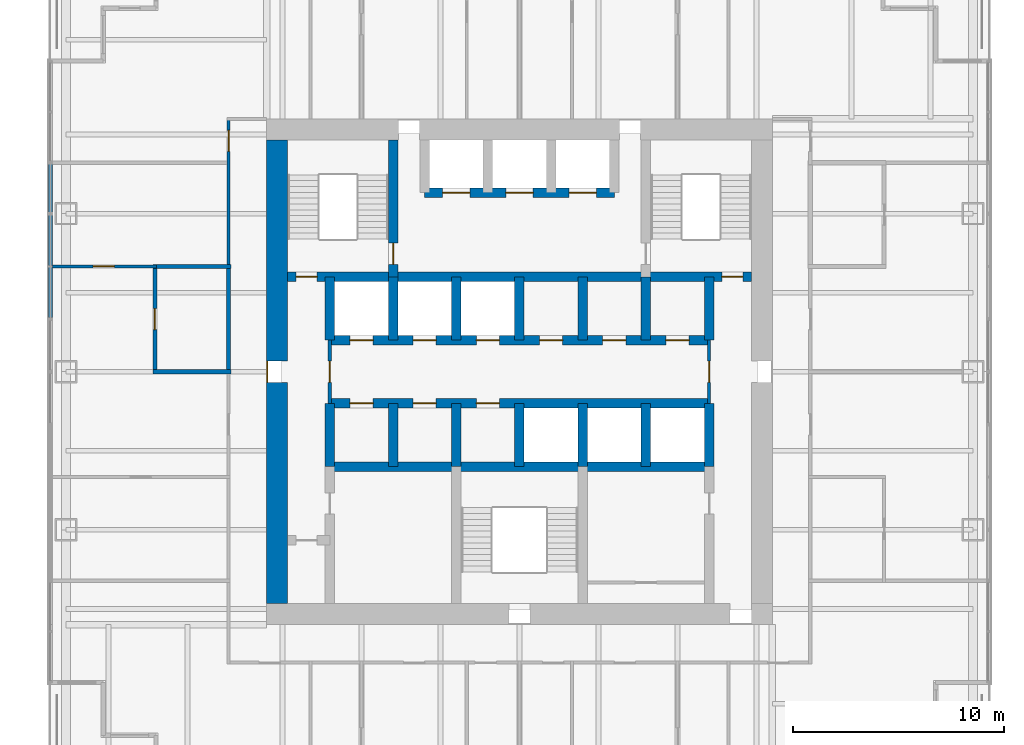
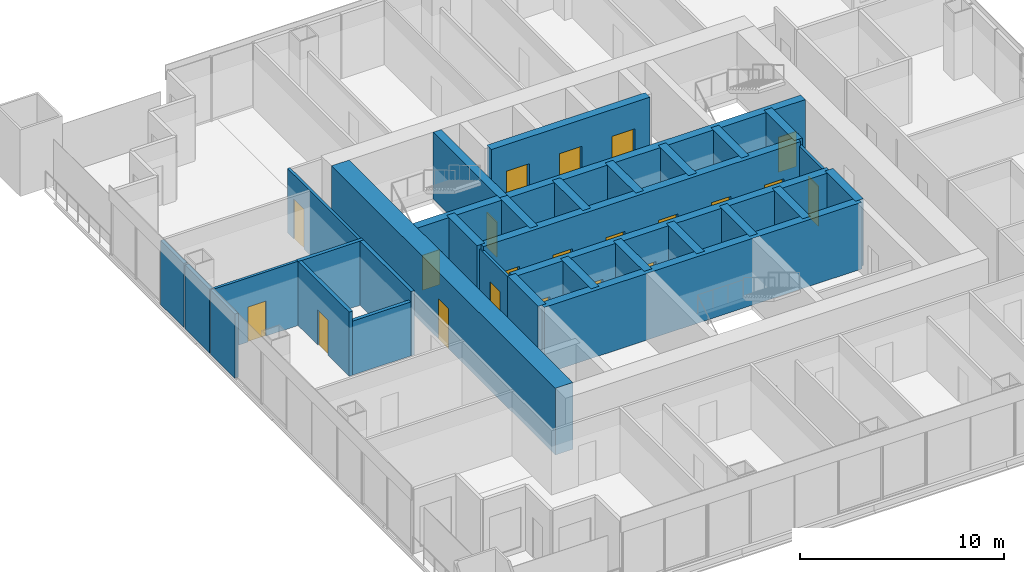
# One storey, part 9 of 13: 32 walls, 21 doors, 21 openings.
"""IFC4 building model written with IfcOpenShell, lengths in metres."""

from ifc_helpers import new_model, si_unit, direction, frame, frame_2d, origin, place, context, subcontext, project, spatial, rectangle, extrude, material, layer, layer_set, type_object, element, fill, save


model = new_model("IFC4")

# Units and contexts
model_context = context("Model", 3, precision=1e-05, world=origin(), true_north=direction((0.0, 1.0)))
body_context = subcontext(model_context, "Body", "Model", "MODEL_VIEW")
ifc_project = project(units=[si_unit("LENGTHUNIT", "METRE"), si_unit("AREAUNIT", "SQUARE_METRE"), si_unit("VOLUMEUNIT", "CUBIC_METRE"), si_unit("PLANEANGLEUNIT", "RADIAN"), si_unit("MASSUNIT", "GRAM", prefix="KILO")], contexts=[model_context])

# Site, building, storey
site_placement = place(None, origin())
site = spatial("IfcSite", under=ifc_project, at=site_placement, CompositionType="ELEMENT")
building_placement = place(site_placement, origin())
building = spatial("IfcBuilding", under=site, at=building_placement, Name="Tarangal Relay Tower", CompositionType="ELEMENT")
storey_placement = place(building_placement, frame((0.0, 0.0, 189.89990234375)))
storey = spatial("IfcBuildingStorey", under=building, at=storey_placement, Name="L39", CompositionType="ELEMENT", Elevation=189.89990234375)

# Walls
ifc_material_1 = material(Name="Two layers gypsum board each side on twin steel studs, mineral wool", Category="steel")
ifc_layer_1 = layer(ifc_material_1, 0.199951171875)
ifc_layer_set_1 = layer_set([ifc_layer_1], Name="Acoustic partition 200")
wall_type_1 = type_object("IfcWallType", Name="Acoustic partition 200", PredefinedType="PARTITIONING", material=ifc_layer_set_1)
wall_1_placement = place(storey_placement, frame((-17.39990234375, 0.0, 0.0), z_axis=(0.0, 0.0, 1.0), x_axis=(1.0, 0.0, 0.0)))
element("IfcWall", 1, at=wall_1_placement, inside=storey, type_object=wall_type_1, Name="Partition PT2 L39", PredefinedType="PARTITIONING", context=body_context, shape_type="SweptSolid", body=[
    extrude(rectangle(XDim=3.699951171875, YDim=0.199951171875, at=frame_2d((1.85009765625, 0.0))), origin(), (0.0, 0.0, 1.0), 3.238037109375),
])
wall_2_placement = place(storey_placement, frame((-17.39990234375, 5.0, 0.0), z_axis=(0.0, 0.0, 1.0), x_axis=(1.0, 0.0, 0.0)))
element("IfcWall", 2, at=wall_2_placement, inside=storey, type_object=wall_type_1, Name="Partition PT2 L39", PredefinedType="PARTITIONING", context=body_context, shape_type="SweptSolid", body=[
    extrude(rectangle(XDim=3.699951171875, YDim=0.199951171875, at=frame_2d((1.85009765625, 0.0))), origin(), (0.0, 0.0, 1.0), 3.85009765625),
])

# Wall, opening, door
wall_3_placement = place(storey_placement, frame((-17.300048828125, -0.10009765625, 0.0), z_axis=(0.0, 0.0, 1.0), x_axis=(0.0, 1.0, 0.0)))
wall_3 = element("IfcWall", 3, at=wall_3_placement, inside=storey, type_object=wall_type_1, Name="Partition PT2 L39", PredefinedType="PARTITIONING", context=body_context, shape_type="SweptSolid", body=[
    extrude(rectangle(XDim=5.2001953125, YDim=0.199951171875, at=frame_2d((2.60009765625, 0.0))), origin(), (0.0, 0.0, 1.0), 3.85009765625),
])
opening_1_placement = place(wall_3_placement, frame((2.10009765625, 0.0, 0.0)))
opening_1 = element("IfcOpeningElement", 4, at=opening_1_placement, cuts=wall_3, Name="Opening D2", PredefinedType="OPENING", context=body_context, shape_type="SweptSolid", body=[
    extrude(rectangle(XDim=1.0, YDim=2.10009765625, at=frame_2d((0.5, 1.050048828125))), frame((0.0, 0.10986328125, 0.0), z_axis=(0.0, -1.0, 0.0), x_axis=(1.0, 0.0, 0.0)), (0.0, 0.0, 1.0), 0.219970703125),
])
ifc_material_2 = material(Name="Hardwood door", Category="wood")
door_type_1 = type_object("IfcDoorType", Name="Door 1000 x 2100", OperationType="SINGLE_SWING_LEFT", PredefinedType="DOOR", material=ifc_material_2)
door_1_placement = place(opening_1_placement, origin())
door_1 = element("IfcDoor", 5, at=door_1_placement, inside=storey, type_object=door_type_1, Name="Door D2 to meeting room L39-20", OperationType="SINGLE_SWING_LEFT", OverallHeight=2.10009765625, OverallWidth=1.0, PredefinedType="DOOR", context=body_context, shape_type="SweptSolid", body=[
    extrude(rectangle(XDim=1.0, YDim=2.10009765625, at=frame_2d((0.5, 1.050048828125))), frame((0.0, 0.02490234375, 0.0), z_axis=(0.0, -1.0, 0.0), x_axis=(1.0, 0.0, 0.0)), (0.0, 0.0, 1.0), 0.050048828125),
])
fill(opening_1, door_1)

# Wall
wall_4_placement = place(storey_placement, frame((-13.800048828125, -0.10009765625, 0.0), z_axis=(0.0, 0.0, 1.0), x_axis=(0.0, 1.0, 0.0)))
element("IfcWall", 6, at=wall_4_placement, inside=storey, type_object=wall_type_1, Name="Partition PT2 L39", PredefinedType="PARTITIONING", context=body_context, shape_type="SweptSolid", body=[
    extrude(rectangle(XDim=5.2001953125, YDim=0.199951171875, at=frame_2d((2.60009765625, 0.0))), origin(), (0.0, 0.0, 1.0), 3.85009765625),
])

# Wall, openings, doors
ifc_material_3 = material(Name="Concrete fc' 60 MPa", Category="concrete")
ifc_layer_2 = layer(ifc_material_3, 0.449951171875)
ifc_layer_set_2 = layer_set([ifc_layer_2], Name="Core inner wall 450")
wall_type_2 = type_object("IfcWallType", Name="Core inner wall 450", PredefinedType="SHEAR", material=ifc_layer_set_2)
wall_5_placement = place(storey_placement, frame((-11.0, 4.5, 0.0), z_axis=(0.0, 0.0, 1.0), x_axis=(1.0, 0.0, 0.0)))
wall_5 = element("IfcWall", 7, at=wall_5_placement, inside=storey, type_object=wall_type_2, Name="Core wall Y45 L39", PredefinedType="SHEAR", context=body_context, shape_type="SweptSolid", body=[
    extrude(rectangle(XDim=22.0, YDim=0.449951171875, at=frame_2d((11.0, 0.0))), origin(), (0.0, 0.0, 1.0), 4.0),
])
opening_2_placement = place(wall_5_placement, frame((0.39990234375, 0.0, 0.0)))
opening_2 = element("IfcOpeningElement", 8, at=opening_2_placement, cuts=wall_5, Name="Opening FD1", PredefinedType="OPENING", context=body_context, shape_type="SweptSolid", body=[
    extrude(rectangle(XDim=1.0, YDim=2.10009765625, at=frame_2d((0.5, 1.050048828125))), frame((0.0, 0.23486328125, 0.0), z_axis=(0.0, -1.0, 0.0), x_axis=(1.0, 0.0, 0.0)), (0.0, 0.0, 1.0), 0.469970703125),
])
opening_3_placement = place(wall_5_placement, frame((20.60009765625, 0.0, 0.0)))
opening_3 = element("IfcOpeningElement", 9, at=opening_3_placement, cuts=wall_5, Name="Opening FD1", PredefinedType="OPENING", context=body_context, shape_type="SweptSolid", body=[
    extrude(rectangle(XDim=1.0, YDim=2.10009765625, at=frame_2d((0.5, 1.050048828125))), frame((0.0, 0.23486328125, 0.0), z_axis=(0.0, -1.0, 0.0), x_axis=(1.0, 0.0, 0.0)), (0.0, 0.0, 1.0), 0.469970703125),
])
ifc_material_4 = material(Name="Steel door with hardwood frame", Category="steel")
door_type_2 = type_object("IfcDoorType", Name="Fire door 1000 x 2100", OperationType="SINGLE_SWING_LEFT", PredefinedType="DOOR", material=ifc_material_4)
door_2_placement = place(opening_2_placement, origin())
door_2 = element("IfcDoor", 10, at=door_2_placement, inside=storey, type_object=door_type_2, Name="Stair ST-A door from corridor L39", OperationType="SINGLE_SWING_LEFT", OverallHeight=2.10009765625, OverallWidth=1.0, PredefinedType="DOOR", context=body_context, shape_type="SweptSolid", body=[
    extrude(rectangle(XDim=1.0, YDim=2.10009765625, at=frame_2d((0.5, 1.050048828125))), frame((0.0, 0.02490234375, 0.0), z_axis=(0.0, -1.0, 0.0), x_axis=(1.0, 0.0, 0.0)), (0.0, 0.0, 1.0), 0.050048828125),
])
fill(opening_2, door_2)
door_3_placement = place(opening_3_placement, origin())
door_3 = element("IfcDoor", 11, at=door_3_placement, inside=storey, type_object=door_type_2, Name="Stair ST-B door from corridor L39", OperationType="SINGLE_SWING_LEFT", OverallHeight=2.10009765625, OverallWidth=1.0, PredefinedType="DOOR", context=body_context, shape_type="SweptSolid", body=[
    extrude(rectangle(XDim=1.0, YDim=2.10009765625, at=frame_2d((0.5, 1.050048828125))), frame((0.0, 0.02490234375, 0.0), z_axis=(0.0, -1.0, 0.0), x_axis=(1.0, 0.0, 0.0)), (0.0, 0.0, 1.0), 0.050048828125),
])
fill(opening_3, door_3)

wall_6_placement = place(storey_placement, frame((-9.0, 1.5, 0.0), z_axis=(0.0, 0.0, 1.0), x_axis=(1.0, 0.0, 0.0)))
wall_6 = element("IfcWall", 12, at=wall_6_placement, inside=storey, type_object=wall_type_2, Name="Core wall Y15 L39", PredefinedType="SHEAR", context=body_context, shape_type="SweptSolid", body=[
    extrude(rectangle(XDim=18.0, YDim=0.449951171875, at=frame_2d((9.0, 0.0))), origin(), (0.0, 0.0, 1.0), 4.0),
])
opening_4_placement = place(wall_6_placement, frame((0.949951171875, 0.0, 0.0)))
opening_4 = element("IfcOpeningElement", 13, at=opening_4_placement, cuts=wall_6, Name="Opening LD1", PredefinedType="OPENING", context=body_context, shape_type="SweptSolid", body=[
    extrude(rectangle(XDim=1.10009765625, YDim=2.10009765625, at=frame_2d((0.550048828125, 1.050048828125))), frame((0.0, 0.23486328125, 0.0), z_axis=(0.0, -1.0, 0.0), x_axis=(1.0, 0.0, 0.0)), (0.0, 0.0, 1.0), 0.469970703125),
])
opening_5_placement = place(wall_6_placement, frame((3.949951171875, 0.0, 0.0)))
opening_5 = element("IfcOpeningElement", 14, at=opening_5_placement, cuts=wall_6, Name="Opening LD1", PredefinedType="OPENING", context=body_context, shape_type="SweptSolid", body=[
    extrude(rectangle(XDim=1.10009765625, YDim=2.10009765625, at=frame_2d((0.550048828125, 1.050048828125))), frame((0.0, 0.23486328125, 0.0), z_axis=(0.0, -1.0, 0.0), x_axis=(1.0, 0.0, 0.0)), (0.0, 0.0, 1.0), 0.469970703125),
])
opening_6_placement = place(wall_6_placement, frame((6.949951171875, 0.0, 0.0)))
opening_6 = element("IfcOpeningElement", 15, at=opening_6_placement, cuts=wall_6, Name="Opening LD1", PredefinedType="OPENING", context=body_context, shape_type="SweptSolid", body=[
    extrude(rectangle(XDim=1.10009765625, YDim=2.10009765625, at=frame_2d((0.550048828125, 1.050048828125))), frame((0.0, 0.23486328125, 0.0), z_axis=(0.0, -1.0, 0.0), x_axis=(1.0, 0.0, 0.0)), (0.0, 0.0, 1.0), 0.469970703125),
])
opening_7_placement = place(wall_6_placement, frame((9.949951171875, 0.0, 0.0)))
opening_7 = element("IfcOpeningElement", 16, at=opening_7_placement, cuts=wall_6, Name="Opening D4", PredefinedType="OPENING", context=body_context, shape_type="SweptSolid", body=[
    extrude(rectangle(XDim=1.10009765625, YDim=2.10009765625, at=frame_2d((0.550048828125, 1.050048828125))), frame((0.0, 0.23486328125, 0.0), z_axis=(0.0, -1.0, 0.0), x_axis=(1.0, 0.0, 0.0)), (0.0, 0.0, 1.0), 0.469970703125),
])
opening_8_placement = place(wall_6_placement, frame((12.949951171875, 0.0, 0.0)))
opening_8 = element("IfcOpeningElement", 17, at=opening_8_placement, cuts=wall_6, Name="Opening D4", PredefinedType="OPENING", context=body_context, shape_type="SweptSolid", body=[
    extrude(rectangle(XDim=1.10009765625, YDim=2.10009765625, at=frame_2d((0.550048828125, 1.050048828125))), frame((0.0, 0.23486328125, 0.0), z_axis=(0.0, -1.0, 0.0), x_axis=(1.0, 0.0, 0.0)), (0.0, 0.0, 1.0), 0.469970703125),
])
opening_9_placement = place(wall_6_placement, frame((15.949951171875, 0.0, 0.0)))
opening_9 = element("IfcOpeningElement", 18, at=opening_9_placement, cuts=wall_6, Name="Opening D4", PredefinedType="OPENING", context=body_context, shape_type="SweptSolid", body=[
    extrude(rectangle(XDim=1.10009765625, YDim=2.10009765625, at=frame_2d((0.550048828125, 1.050048828125))), frame((0.0, 0.23486328125, 0.0), z_axis=(0.0, -1.0, 0.0), x_axis=(1.0, 0.0, 0.0)), (0.0, 0.0, 1.0), 0.469970703125),
])
door_type_3 = type_object("IfcDoorType", Name="Core room door 1100 x 2100", OperationType="SINGLE_SWING_RIGHT", PredefinedType="DOOR", material=ifc_material_4)
door_4_placement = place(opening_7_placement, origin())
door_4 = element("IfcDoor", 19, at=door_4_placement, inside=storey, type_object=door_type_3, Name="Door D4 to staff pantry L39-T1", OperationType="SINGLE_SWING_RIGHT", OverallHeight=2.10009765625, OverallWidth=1.10009765625, PredefinedType="DOOR", context=body_context, shape_type="SweptSolid", body=[
    extrude(rectangle(XDim=1.10009765625, YDim=2.10009765625, at=frame_2d((0.550048828125, 1.050048828125))), frame((0.0, 0.02490234375, 0.0), z_axis=(0.0, -1.0, 0.0), x_axis=(1.0, 0.0, 0.0)), (0.0, 0.0, 1.0), 0.050048828125),
])
fill(opening_7, door_4)
door_5_placement = place(opening_8_placement, origin())
door_5 = element("IfcDoor", 20, at=door_5_placement, inside=storey, type_object=door_type_3, Name="Door D4 to it room L39-T2", OperationType="SINGLE_SWING_RIGHT", OverallHeight=2.10009765625, OverallWidth=1.10009765625, PredefinedType="DOOR", context=body_context, shape_type="SweptSolid", body=[
    extrude(rectangle(XDim=1.10009765625, YDim=2.10009765625, at=frame_2d((0.550048828125, 1.050048828125))), frame((0.0, 0.02490234375, 0.0), z_axis=(0.0, -1.0, 0.0), x_axis=(1.0, 0.0, 0.0)), (0.0, 0.0, 1.0), 0.050048828125),
])
fill(opening_8, door_5)
door_6_placement = place(opening_9_placement, origin())
door_6 = element("IfcDoor", 21, at=door_6_placement, inside=storey, type_object=door_type_3, Name="Door D4 to cleaner's store L39-T3", OperationType="SINGLE_SWING_RIGHT", OverallHeight=2.10009765625, OverallWidth=1.10009765625, PredefinedType="DOOR", context=body_context, shape_type="SweptSolid", body=[
    extrude(rectangle(XDim=1.10009765625, YDim=2.10009765625, at=frame_2d((0.550048828125, 1.050048828125))), frame((0.0, 0.02490234375, 0.0), z_axis=(0.0, -1.0, 0.0), x_axis=(1.0, 0.0, 0.0)), (0.0, 0.0, 1.0), 0.050048828125),
])
fill(opening_9, door_6)
door_type_4 = type_object("IfcDoorType", Name="Lift landing door 1100 x 2100", OperationType="SLIDING_TO_LEFT", PredefinedType="DOOR", material=ifc_material_4)
door_7_placement = place(opening_4_placement, origin())
door_7 = element("IfcDoor", 22, at=door_7_placement, inside=storey, type_object=door_type_4, Name="Lift OL1 landing door L39", OperationType="SLIDING_TO_LEFT", OverallHeight=2.10009765625, OverallWidth=1.10009765625, PredefinedType="DOOR", context=body_context, shape_type="SweptSolid", body=[
    extrude(rectangle(XDim=1.10009765625, YDim=2.10009765625, at=frame_2d((0.550048828125, 1.050048828125))), frame((0.0, 0.02490234375, 0.0), z_axis=(0.0, -1.0, 0.0), x_axis=(1.0, 0.0, 0.0)), (0.0, 0.0, 1.0), 0.050048828125),
])
fill(opening_4, door_7)
door_8_placement = place(opening_5_placement, origin())
door_8 = element("IfcDoor", 23, at=door_8_placement, inside=storey, type_object=door_type_4, Name="Lift OL2 landing door L39", OperationType="SLIDING_TO_LEFT", OverallHeight=2.10009765625, OverallWidth=1.10009765625, PredefinedType="DOOR", context=body_context, shape_type="SweptSolid", body=[
    extrude(rectangle(XDim=1.10009765625, YDim=2.10009765625, at=frame_2d((0.550048828125, 1.050048828125))), frame((0.0, 0.02490234375, 0.0), z_axis=(0.0, -1.0, 0.0), x_axis=(1.0, 0.0, 0.0)), (0.0, 0.0, 1.0), 0.050048828125),
])
fill(opening_5, door_8)
door_9_placement = place(opening_6_placement, origin())
door_9 = element("IfcDoor", 24, at=door_9_placement, inside=storey, type_object=door_type_4, Name="Lift OL3 landing door L39", OperationType="SLIDING_TO_LEFT", OverallHeight=2.10009765625, OverallWidth=1.10009765625, PredefinedType="DOOR", context=body_context, shape_type="SweptSolid", body=[
    extrude(rectangle(XDim=1.10009765625, YDim=2.10009765625, at=frame_2d((0.550048828125, 1.050048828125))), frame((0.0, 0.02490234375, 0.0), z_axis=(0.0, -1.0, 0.0), x_axis=(1.0, 0.0, 0.0)), (0.0, 0.0, 1.0), 0.050048828125),
])
fill(opening_6, door_9)

wall_7_placement = place(storey_placement, frame((-9.0, -1.5, 0.0), z_axis=(0.0, 0.0, 1.0), x_axis=(1.0, 0.0, 0.0)))
wall_7 = element("IfcWall", 25, at=wall_7_placement, inside=storey, type_object=wall_type_2, Name="Core wall YM15 L39", PredefinedType="SHEAR", context=body_context, shape_type="SweptSolid", body=[
    extrude(rectangle(XDim=18.0, YDim=0.449951171875, at=frame_2d((9.0, 0.0))), origin(), (0.0, 0.0, 1.0), 4.0),
])
opening_10_placement = place(wall_7_placement, frame((0.949951171875, 0.0, 0.0)))
opening_10 = element("IfcOpeningElement", 26, at=opening_10_placement, cuts=wall_7, Name="Opening D4", PredefinedType="OPENING", context=body_context, shape_type="SweptSolid", body=[
    extrude(rectangle(XDim=1.10009765625, YDim=2.10009765625, at=frame_2d((0.550048828125, 1.050048828125))), frame((0.0, 0.23486328125, 0.0), z_axis=(0.0, -1.0, 0.0), x_axis=(1.0, 0.0, 0.0)), (0.0, 0.0, 1.0), 0.469970703125),
])
opening_11_placement = place(wall_7_placement, frame((3.949951171875, 0.0, 0.0)))
opening_11 = element("IfcOpeningElement", 27, at=opening_11_placement, cuts=wall_7, Name="Opening D4", PredefinedType="OPENING", context=body_context, shape_type="SweptSolid", body=[
    extrude(rectangle(XDim=1.10009765625, YDim=2.10009765625, at=frame_2d((0.550048828125, 1.050048828125))), frame((0.0, 0.23486328125, 0.0), z_axis=(0.0, -1.0, 0.0), x_axis=(1.0, 0.0, 0.0)), (0.0, 0.0, 1.0), 0.469970703125),
])
opening_12_placement = place(wall_7_placement, frame((6.949951171875, 0.0, 0.0)))
opening_12 = element("IfcOpeningElement", 28, at=opening_12_placement, cuts=wall_7, Name="Opening D4", PredefinedType="OPENING", context=body_context, shape_type="SweptSolid", body=[
    extrude(rectangle(XDim=1.10009765625, YDim=2.10009765625, at=frame_2d((0.550048828125, 1.050048828125))), frame((0.0, 0.23486328125, 0.0), z_axis=(0.0, -1.0, 0.0), x_axis=(1.0, 0.0, 0.0)), (0.0, 0.0, 1.0), 0.469970703125),
])
door_10_placement = place(opening_10_placement, origin())
door_10 = element("IfcDoor", 29, at=door_10_placement, inside=storey, type_object=door_type_3, Name="Door D4 to staff wc L39-S1", OperationType="SINGLE_SWING_RIGHT", OverallHeight=2.10009765625, OverallWidth=1.10009765625, PredefinedType="DOOR", context=body_context, shape_type="SweptSolid", body=[
    extrude(rectangle(XDim=1.10009765625, YDim=2.10009765625, at=frame_2d((0.550048828125, 1.050048828125))), frame((0.0, 0.02490234375, 0.0), z_axis=(0.0, -1.0, 0.0), x_axis=(1.0, 0.0, 0.0)), (0.0, 0.0, 1.0), 0.050048828125),
])
fill(opening_10, door_10)
door_11_placement = place(opening_11_placement, origin())
door_11 = element("IfcDoor", 30, at=door_11_placement, inside=storey, type_object=door_type_3, Name="Door D4 to staff pantry L39-S2", OperationType="SINGLE_SWING_RIGHT", OverallHeight=2.10009765625, OverallWidth=1.10009765625, PredefinedType="DOOR", context=body_context, shape_type="SweptSolid", body=[
    extrude(rectangle(XDim=1.10009765625, YDim=2.10009765625, at=frame_2d((0.550048828125, 1.050048828125))), frame((0.0, 0.02490234375, 0.0), z_axis=(0.0, -1.0, 0.0), x_axis=(1.0, 0.0, 0.0)), (0.0, 0.0, 1.0), 0.050048828125),
])
fill(opening_11, door_11)
door_12_placement = place(opening_12_placement, origin())
door_12 = element("IfcDoor", 31, at=door_12_placement, inside=storey, type_object=door_type_3, Name="Door D4 to it room L39-S3", OperationType="SINGLE_SWING_RIGHT", OverallHeight=2.10009765625, OverallWidth=1.10009765625, PredefinedType="DOOR", context=body_context, shape_type="SweptSolid", body=[
    extrude(rectangle(XDim=1.10009765625, YDim=2.10009765625, at=frame_2d((0.550048828125, 1.050048828125))), frame((0.0, 0.02490234375, 0.0), z_axis=(0.0, -1.0, 0.0), x_axis=(1.0, 0.0, 0.0)), (0.0, 0.0, 1.0), 0.050048828125),
])
fill(opening_12, door_12)

# Wall
wall_8_placement = place(storey_placement, frame((-9.0, -4.5, 0.0), z_axis=(0.0, 0.0, 1.0), x_axis=(1.0, 0.0, 0.0)))
element("IfcWall", 32, at=wall_8_placement, inside=storey, type_object=wall_type_2, Name="Core wall YM45 L39", PredefinedType="SHEAR", context=body_context, shape_type="SweptSolid", body=[
    extrude(rectangle(XDim=18.0, YDim=0.449951171875, at=frame_2d((9.0, 0.0))), origin(), (0.0, 0.0, 1.0), 4.0),
])

# Wall, openings, doors
wall_9_placement = place(storey_placement, frame((-4.5, 8.5, 0.0), z_axis=(0.0, 0.0, 1.0), x_axis=(1.0, 0.0, 0.0)))
wall_9 = element("IfcWall", 33, at=wall_9_placement, inside=storey, type_object=wall_type_2, Name="Core wall Y85 L39", PredefinedType="SHEAR", context=body_context, shape_type="SweptSolid", body=[
    extrude(rectangle(XDim=9.0, YDim=0.449951171875, at=frame_2d((4.5, 0.0))), origin(), (0.0, 0.0, 1.0), 4.0),
])
opening_13_placement = place(wall_9_placement, frame((0.85009765625, 0.0, 0.0)))
opening_13 = element("IfcOpeningElement", 34, at=opening_13_placement, cuts=wall_9, Name="Opening LD2", PredefinedType="OPENING", context=body_context, shape_type="SweptSolid", body=[
    extrude(rectangle(XDim=1.300048828125, YDim=2.39990234375, at=frame_2d((0.64990234375, 1.199951171875))), frame((0.0, 0.23486328125, 0.0), z_axis=(0.0, -1.0, 0.0), x_axis=(1.0, 0.0, 0.0)), (0.0, 0.0, 1.0), 0.469970703125),
])
opening_14_placement = place(wall_9_placement, frame((6.85009765625, 0.0, 0.0)))
opening_14 = element("IfcOpeningElement", 35, at=opening_14_placement, cuts=wall_9, Name="Opening LD2", PredefinedType="OPENING", context=body_context, shape_type="SweptSolid", body=[
    extrude(rectangle(XDim=1.300048828125, YDim=2.39990234375, at=frame_2d((0.64990234375, 1.199951171875))), frame((0.0, 0.23486328125, 0.0), z_axis=(0.0, -1.0, 0.0), x_axis=(1.0, 0.0, 0.0)), (0.0, 0.0, 1.0), 0.469970703125),
])
opening_15_placement = place(wall_9_placement, frame((3.85009765625, 0.0, 0.0)))
opening_15 = element("IfcOpeningElement", 36, at=opening_15_placement, cuts=wall_9, Name="Opening LD2", PredefinedType="OPENING", context=body_context, shape_type="SweptSolid", body=[
    extrude(rectangle(XDim=1.300048828125, YDim=2.39990234375, at=frame_2d((0.64990234375, 1.199951171875))), frame((0.0, 0.23486328125, 0.0), z_axis=(0.0, -1.0, 0.0), x_axis=(1.0, 0.0, 0.0)), (0.0, 0.0, 1.0), 0.469970703125),
])
door_type_5 = type_object("IfcDoorType", Name="Lift landing door 1300 x 2400", OperationType="SLIDING_TO_LEFT", PredefinedType="DOOR", material=ifc_material_4)
door_13_placement = place(opening_13_placement, origin())
door_13 = element("IfcDoor", 37, at=door_13_placement, inside=storey, type_object=door_type_5, Name="Lift FF1 landing door L39", OperationType="SLIDING_TO_LEFT", OverallHeight=2.39990234375, OverallWidth=1.300048828125, PredefinedType="DOOR", context=body_context, shape_type="SweptSolid", body=[
    extrude(rectangle(XDim=1.300048828125, YDim=2.39990234375, at=frame_2d((0.64990234375, 1.199951171875))), frame((0.0, 0.02490234375, 0.0), z_axis=(0.0, -1.0, 0.0), x_axis=(1.0, 0.0, 0.0)), (0.0, 0.0, 1.0), 0.050048828125),
])
fill(opening_13, door_13)
door_14_placement = place(opening_14_placement, origin())
door_14 = element("IfcDoor", 38, at=door_14_placement, inside=storey, type_object=door_type_5, Name="Lift FF2 landing door L39", OperationType="SLIDING_TO_LEFT", OverallHeight=2.39990234375, OverallWidth=1.300048828125, PredefinedType="DOOR", context=body_context, shape_type="SweptSolid", body=[
    extrude(rectangle(XDim=1.300048828125, YDim=2.39990234375, at=frame_2d((0.64990234375, 1.199951171875))), frame((0.0, 0.02490234375, 0.0), z_axis=(0.0, -1.0, 0.0), x_axis=(1.0, 0.0, 0.0)), (0.0, 0.0, 1.0), 0.050048828125),
])
fill(opening_14, door_14)
door_15_placement = place(opening_15_placement, origin())
door_15 = element("IfcDoor", 39, at=door_15_placement, inside=storey, type_object=door_type_5, Name="Lift SV1 landing door L39", OperationType="SLIDING_TO_LEFT", OverallHeight=2.39990234375, OverallWidth=1.300048828125, PredefinedType="DOOR", context=body_context, shape_type="SweptSolid", body=[
    extrude(rectangle(XDim=1.300048828125, YDim=2.39990234375, at=frame_2d((0.64990234375, 1.199951171875))), frame((0.0, 0.02490234375, 0.0), z_axis=(0.0, -1.0, 0.0), x_axis=(1.0, 0.0, 0.0)), (0.0, 0.0, 1.0), 0.050048828125),
])
fill(opening_15, door_15)

# Walls
for number, where, z_axis, x_axis, name in (
    (40, (-9.0, 1.5, 0.0), (0.0, 0.0, 1.0), (0.0, 1.0, 0.0), "Core wall XM9N L39"),
    (41, (9.0, 1.5, 0.0), (0.0, 0.0, 1.0), (0.0, 1.0, 0.0), "Core wall X9N L39"),
    (42, (-9.0, -4.5, 0.0), (0.0, 0.0, 1.0), (0.0, 1.0, 0.0), "Core wall XM9S L39"),
    (43, (9.0, -4.5, 0.0), (0.0, 0.0, 1.0), (0.0, 1.0, 0.0), "Core wall X9S L39"),
    (44, (-6.0, 1.5, 0.0), (0.0, 0.0, 1.0), (0.0, 1.0, 0.0), "Core wall XM6N L39"),
    (45, (-3.0, 1.5, 0.0), (0.0, 0.0, 1.0), (0.0, 1.0, 0.0), "Core wall XM3N L39"),
    (46, (0.0, 1.5, 0.0), (0.0, 0.0, 1.0), (0.0, 1.0, 0.0), "Core wall X0N L39"),
    (47, (3.0, 1.5, 0.0), (0.0, 0.0, 1.0), (0.0, 1.0, 0.0), "Core wall X3N L39"),
    (48, (6.0, 1.5, 0.0), (0.0, 0.0, 1.0), (0.0, 1.0, 0.0), "Core wall X6N L39"),
    (49, (-6.0, -4.5, 0.0), (0.0, 0.0, 1.0), (0.0, 1.0, 0.0), "Core wall XM6S L39"),
    (50, (-3.0, -4.5, 0.0), (0.0, 0.0, 1.0), (0.0, 1.0, 0.0), "Core wall XM3S L39"),
    (51, (0.0, -4.5, 0.0), (0.0, 0.0, 1.0), (0.0, 1.0, 0.0), "Core wall X0S L39"),
    (52, (3.0, -4.5, 0.0), (0.0, 0.0, 1.0), (0.0, 1.0, 0.0), "Core wall X3S L39"),
    (53, (6.0, -4.5, 0.0), (0.0, 0.0, 1.0), (0.0, 1.0, 0.0), "Core wall X6S L39"),
):
    element("IfcWall", number, at=place(storey_placement, frame(where, z_axis=z_axis, x_axis=x_axis)), inside=storey, type_object=wall_type_2, Name=name, PredefinedType="SHEAR", context=body_context, shape_type="SweptSolid", body=[
        extrude(rectangle(XDim=3.0, YDim=0.449951171875, at=frame_2d((1.5, 0.0))), origin(), (0.0, 0.0, 1.0), 4.0),
    ])

# Wall, opening, door
wall_10_placement = place(storey_placement, frame((-6.0, 4.5, 0.0), z_axis=(0.0, 0.0, 1.0), x_axis=(0.0, 1.0, 0.0)))
wall_10 = element("IfcWall", 54, at=wall_10_placement, inside=storey, type_object=wall_type_2, Name="Core wall XM6 L39", PredefinedType="SHEAR", context=body_context, shape_type="SweptSolid", body=[
    extrude(rectangle(XDim=6.5, YDim=0.449951171875, at=frame_2d((3.25, 0.0))), origin(), (0.0, 0.0, 1.0), 4.0),
])
opening_16_placement = place(wall_10_placement, frame((0.60009765625, 0.0, 0.0)))
opening_16 = element("IfcOpeningElement", 55, at=opening_16_placement, cuts=wall_10, Name="Opening FD1", PredefinedType="OPENING", context=body_context, shape_type="SweptSolid", body=[
    extrude(rectangle(XDim=1.0, YDim=2.10009765625, at=frame_2d((0.5, 1.050048828125))), frame((0.0, 0.23486328125, 0.0), z_axis=(0.0, -1.0, 0.0), x_axis=(1.0, 0.0, 0.0)), (0.0, 0.0, 1.0), 0.469970703125),
])
door_16_placement = place(opening_16_placement, origin())
door_16 = element("IfcDoor", 56, at=door_16_placement, inside=storey, type_object=door_type_2, Name="Stair ST-A door from fire-fighting lobby L39", OperationType="SINGLE_SWING_LEFT", OverallHeight=2.10009765625, OverallWidth=1.0, PredefinedType="DOOR", context=body_context, shape_type="SweptSolid", body=[
    extrude(rectangle(XDim=1.0, YDim=2.10009765625, at=frame_2d((0.5, 1.050048828125))), frame((0.0, 0.02490234375, 0.0), z_axis=(0.0, -1.0, 0.0), x_axis=(1.0, 0.0, 0.0)), (0.0, 0.0, 1.0), 0.050048828125),
])
fill(opening_16, door_16)

ifc_layer_3 = layer(ifc_material_3, 1.0)
ifc_layer_set_3 = layer_set([ifc_layer_3], Name="Core wall 1000")
wall_type_3 = type_object("IfcWallType", Name="Core wall 1000", PredefinedType="SHEAR", material=ifc_layer_set_3)
wall_11_placement = place(storey_placement, frame((-11.5, -11.0, 0.0), z_axis=(0.0, 0.0, 1.0), x_axis=(0.0, 1.0, 0.0)))
wall_11 = element("IfcWall", 57, at=wall_11_placement, inside=storey, type_object=wall_type_3, Name="Core wall W L39", PredefinedType="SHEAR", context=body_context, shape_type="SweptSolid", body=[
    extrude(rectangle(XDim=22.0, YDim=1.0, at=frame_2d((11.0, 0.0))), origin(), (0.0, 0.0, 1.0), 4.0),
])
opening_17_placement = place(wall_11_placement, frame((10.5, 0.0, 0.0)))
opening_17 = element("IfcOpeningElement", 58, at=opening_17_placement, cuts=wall_11, Name="Opening FD3", PredefinedType="OPENING", context=body_context, shape_type="SweptSolid", body=[
    extrude(rectangle(XDim=1.0, YDim=2.39990234375, at=frame_2d((0.5, 1.199951171875))), frame((0.0, 0.510009765625, 0.0), z_axis=(0.0, -1.0, 0.0), x_axis=(1.0, 0.0, 0.0)), (0.0, 0.0, 1.0), 1.02001953125),
])
door_type_6 = type_object("IfcDoorType", Name="Fire door 1000 x 2400 core entry", OperationType="SINGLE_SWING_RIGHT", PredefinedType="DOOR", material=ifc_material_4)
door_17_placement = place(opening_17_placement, origin())
door_17 = element("IfcDoor", 59, at=door_17_placement, inside=storey, type_object=door_type_6, Name="Core entry door west L39", OperationType="SINGLE_SWING_RIGHT", OverallHeight=2.39990234375, OverallWidth=1.0, PredefinedType="DOOR", context=body_context, shape_type="SweptSolid", body=[
    extrude(rectangle(XDim=1.0, YDim=2.39990234375, at=frame_2d((0.5, 1.199951171875))), frame((0.0, 0.48486328125, 0.0), z_axis=(0.0, -1.0, 0.0), x_axis=(1.0, 0.0, 0.0)), (0.0, 0.0, 1.0), 0.050048828125),
])
fill(opening_17, door_17)

# Walls
ifc_material_5 = material(Name="Black metal clad insulated wall", Category="steel")
ifc_layer_4 = layer(ifc_material_5, 0.199951171875)
ifc_layer_set_4 = layer_set([ifc_layer_4], Name="Facade infill wall metal clad 200")
wall_type_4 = type_object("IfcWallType", Name="Facade infill wall metal clad 200", PredefinedType="SOLIDWALL", material=ifc_layer_set_4)
for number, where, z_axis, x_axis, name in (
    (60, (-22.25, 2.56494140625, 0.0), (0.0, 0.0, 1.0), (0.0, 1.0, 0.0), "Facade infill wall W facade L39 1.1"),
    (61, (-22.25, 5.032470703125, 0.0), (0.0, 0.0, 1.0), (0.0, 1.0, 0.0), "Facade infill wall W facade L39 2.1"),
):
    element("IfcWall", number, at=place(storey_placement, frame(where, z_axis=z_axis, x_axis=x_axis)), inside=storey, type_object=wall_type_4, Name=name, PredefinedType="SOLIDWALL", context=body_context, shape_type="SweptSolid", body=[
        extrude(rectangle(XDim=2.402587890625, YDim=0.199951171875, at=frame_2d((1.201171875, 0.0))), origin(), (0.0, 0.0, 1.0), 3.85009765625),
    ])
wall_12_placement = place(storey_placement, frame((-22.25, 7.56494140625, 0.0), z_axis=(0.0, 0.0, 1.0), x_axis=(0.0, 1.0, 0.0)))
element("IfcWall", 62, at=wall_12_placement, inside=storey, type_object=wall_type_4, Name="Facade infill wall W facade L39 1.1", PredefinedType="SOLIDWALL", context=body_context, shape_type="SweptSolid", body=[
    extrude(rectangle(XDim=2.286865234375, YDim=0.199951171875, at=frame_2d((1.1435546875, 0.0))), origin(), (0.0, 0.0, 1.0), 3.85009765625),
])

# Wall, opening, door
ifc_material_6 = material(Name="Gypsum board on steel studs", Category="steel")
ifc_layer_5 = layer(ifc_material_6, 0.14990234375)
ifc_layer_set_5 = layer_set([ifc_layer_5], Name="Partition 150")
wall_type_5 = type_object("IfcWallType", Name="Partition 150", PredefinedType="PARTITIONING", material=ifc_layer_set_5)
wall_13_placement = place(storey_placement, frame((-22.14990234375, 5.0, 0.0), z_axis=(0.0, 0.0, 1.0), x_axis=(1.0, 0.0, 0.0)))
wall_13 = element("IfcWall", 63, at=wall_13_placement, inside=storey, type_object=wall_type_5, Name="Partition PT1 L39", PredefinedType="PARTITIONING", context=body_context, shape_type="SweptSolid", body=[
    extrude(rectangle(XDim=4.9248046875, YDim=0.14990234375, at=frame_2d((2.46240234375, 0.0))), origin(), (0.0, 0.0, 1.0), 3.85009765625),
])
opening_18_placement = place(wall_13_placement, frame((1.925048828125, 0.0, 0.0)))
opening_18 = element("IfcOpeningElement", 64, at=opening_18_placement, cuts=wall_13, Name="Opening D2", PredefinedType="OPENING", context=body_context, shape_type="SweptSolid", body=[
    extrude(rectangle(XDim=1.0, YDim=2.10009765625, at=frame_2d((0.5, 1.050048828125))), frame((0.0, 0.0849609375, 0.0), z_axis=(0.0, -1.0, 0.0), x_axis=(1.0, 0.0, 0.0)), (0.0, 0.0, 1.0), 0.169921875),
])
door_18_placement = place(opening_18_placement, origin())
door_18 = element("IfcDoor", 65, at=door_18_placement, inside=storey, type_object=door_type_1, Name="Door D2 to cellular office L39-21", OperationType="SINGLE_SWING_LEFT", OverallHeight=2.10009765625, OverallWidth=1.0, PredefinedType="DOOR", context=body_context, shape_type="SweptSolid", body=[
    extrude(rectangle(XDim=1.0, YDim=2.10009765625, at=frame_2d((0.5, 1.050048828125))), frame((0.0, 0.02490234375, 0.0), z_axis=(0.0, -1.0, 0.0), x_axis=(1.0, 0.0, 0.0)), (0.0, 0.0, 1.0), 0.050048828125),
])
fill(opening_18, door_18)

wall_14_placement = place(storey_placement, frame((-13.800048828125, 4.925048828125, 0.0), z_axis=(0.0, 0.0, 1.0), x_axis=(0.0, 1.0, 0.0)))
wall_14 = element("IfcWall", 66, at=wall_14_placement, inside=storey, type_object=wall_type_5, Name="Partition PT1 L39", PredefinedType="PARTITIONING", context=body_context, shape_type="SweptSolid", body=[
    extrude(rectangle(XDim=7.14990234375, YDim=0.14990234375, at=frame_2d((3.574951171875, 0.0))), origin(), (0.0, 0.0, 1.0), 3.85009765625),
])
opening_19_placement = place(wall_14_placement, frame((5.533447265625, 0.0, 0.0)))
opening_19 = element("IfcOpeningElement", 67, at=opening_19_placement, cuts=wall_14, Name="Opening SD1", PredefinedType="OPENING", context=body_context, shape_type="SweptSolid", body=[
    extrude(rectangle(XDim=1.0, YDim=2.39990234375, at=frame_2d((0.5, 1.199951171875))), frame((0.0, 0.0849609375, 0.0), z_axis=(0.0, -1.0, 0.0), x_axis=(1.0, 0.0, 0.0)), (0.0, 0.0, 1.0), 0.169921875),
])
door_type_7 = type_object("IfcDoorType", Name="Suite entrance door 1000 x 2400", OperationType="SINGLE_SWING_RIGHT", PredefinedType="DOOR", material=ifc_material_4)
door_19_placement = place(opening_19_placement, origin())
door_19 = element("IfcDoor", 68, at=door_19_placement, inside=storey, type_object=door_type_7, Name="Door SD1 to open plan office L39-25", OperationType="SINGLE_SWING_RIGHT", OverallHeight=2.39990234375, OverallWidth=1.0, PredefinedType="DOOR", context=body_context, shape_type="SweptSolid", body=[
    extrude(rectangle(XDim=1.0, YDim=2.39990234375, at=frame_2d((0.5, 1.199951171875))), frame((0.0, 0.02490234375, 0.0), z_axis=(0.0, -1.0, 0.0), x_axis=(1.0, 0.0, 0.0)), (0.0, 0.0, 1.0), 0.050048828125),
])
fill(opening_19, door_19)

wall_15_placement = place(storey_placement, frame((-9.0, -1.5, 0.0), z_axis=(0.0, 0.0, 1.0), x_axis=(0.0, 1.0, 0.0)))
wall_15 = element("IfcWall", 69, at=wall_15_placement, inside=storey, type_object=wall_type_5, Name="Partition PT1 L39", PredefinedType="PARTITIONING", context=body_context, shape_type="SweptSolid", body=[
    extrude(rectangle(XDim=3.0, YDim=0.14990234375, at=frame_2d((1.5, 0.0))), origin(), (0.0, 0.0, 1.0), 3.75),
])
opening_20_placement = place(wall_15_placement, frame((1.0, 0.0, 0.0)))
opening_20 = element("IfcOpeningElement", 70, at=opening_20_placement, cuts=wall_15, Name="Opening FD3", PredefinedType="OPENING", context=body_context, shape_type="SweptSolid", body=[
    extrude(rectangle(XDim=1.0, YDim=2.39990234375, at=frame_2d((0.5, 1.199951171875))), frame((0.0, 0.0849609375, 0.0), z_axis=(0.0, -1.0, 0.0), x_axis=(1.0, 0.0, 0.0)), (0.0, 0.0, 1.0), 0.169921875),
])
door_20_placement = place(opening_20_placement, origin())
door_20 = element("IfcDoor", 71, at=door_20_placement, inside=storey, type_object=door_type_6, Name="Lift lobby door FD3 to the west corridor L39", OperationType="SINGLE_SWING_RIGHT", OverallHeight=2.39990234375, OverallWidth=1.0, PredefinedType="DOOR", context=body_context, shape_type="SweptSolid", body=[
    extrude(rectangle(XDim=1.0, YDim=2.39990234375, at=frame_2d((0.5, 1.199951171875))), frame((0.0, 0.02490234375, 0.0), z_axis=(0.0, -1.0, 0.0), x_axis=(1.0, 0.0, 0.0)), (0.0, 0.0, 1.0), 0.050048828125),
])
fill(opening_20, door_20)

wall_16_placement = place(storey_placement, frame((9.0, -1.5, 0.0), z_axis=(0.0, 0.0, 1.0), x_axis=(0.0, 1.0, 0.0)))
wall_16 = element("IfcWall", 72, at=wall_16_placement, inside=storey, type_object=wall_type_5, Name="Partition PT1 L39", PredefinedType="PARTITIONING", context=body_context, shape_type="SweptSolid", body=[
    extrude(rectangle(XDim=3.0, YDim=0.14990234375, at=frame_2d((1.5, 0.0))), origin(), (0.0, 0.0, 1.0), 3.75),
])
opening_21_placement = place(wall_16_placement, frame((1.0, 0.0, 0.0)))
opening_21 = element("IfcOpeningElement", 73, at=opening_21_placement, cuts=wall_16, Name="Opening FD3", PredefinedType="OPENING", context=body_context, shape_type="SweptSolid", body=[
    extrude(rectangle(XDim=1.0, YDim=2.39990234375, at=frame_2d((0.5, 1.199951171875))), frame((0.0, 0.0849609375, 0.0), z_axis=(0.0, -1.0, 0.0), x_axis=(1.0, 0.0, 0.0)), (0.0, 0.0, 1.0), 0.169921875),
])
door_21_placement = place(opening_21_placement, origin())
door_21 = element("IfcDoor", 74, at=door_21_placement, inside=storey, type_object=door_type_6, Name="Lift lobby door FD3 to the east corridor L39", OperationType="SINGLE_SWING_RIGHT", OverallHeight=2.39990234375, OverallWidth=1.0, PredefinedType="DOOR", context=body_context, shape_type="SweptSolid", body=[
    extrude(rectangle(XDim=1.0, YDim=2.39990234375, at=frame_2d((0.5, 1.199951171875))), frame((0.0, 0.02490234375, 0.0), z_axis=(0.0, -1.0, 0.0), x_axis=(1.0, 0.0, 0.0)), (0.0, 0.0, 1.0), 0.050048828125),
])
fill(opening_21, door_21)

save(model, "model.ifc")
